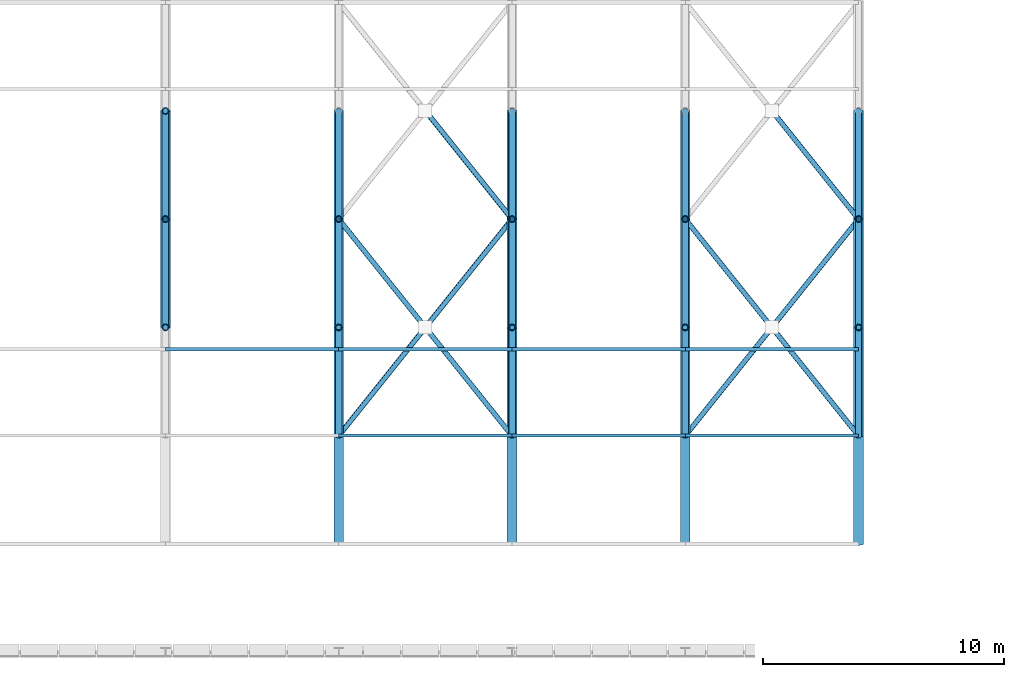
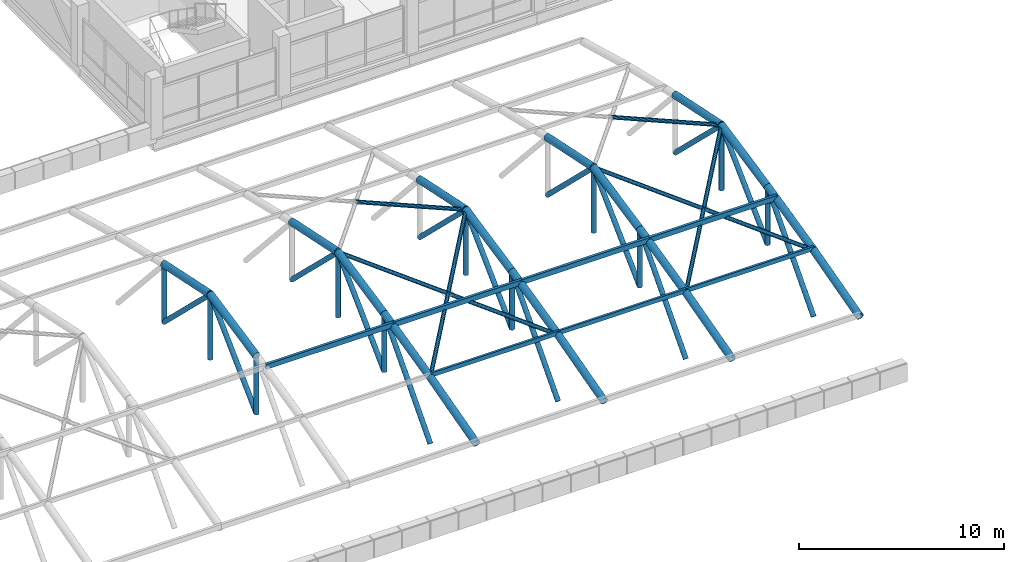
# One storey, part 31 of 96: 58 members.
"""IFC4 building model written with IfcOpenShell, lengths in metres."""

from ifc_helpers import new_model, si_unit, direction, frame, origin, origin_2d, place, context, subcontext, project, spatial, hollow_rectangle, hollow_circle, extrude, material, material_profile, profile_set, type_object, element, save


model = new_model("IFC4")

# Units and contexts
model_context = context("Model", 3, precision=1e-05, world=origin(), true_north=direction((0.0, 1.0)))
body_context = subcontext(model_context, "Body", "Model", "MODEL_VIEW")
ifc_project = project(units=[si_unit("LENGTHUNIT", "METRE"), si_unit("AREAUNIT", "SQUARE_METRE"), si_unit("VOLUMEUNIT", "CUBIC_METRE"), si_unit("PLANEANGLEUNIT", "RADIAN"), si_unit("MASSUNIT", "GRAM", prefix="KILO")], contexts=[model_context])

# Site, building, storey
site_placement = place(None, origin())
site = spatial("IfcSite", under=ifc_project, at=site_placement, CompositionType="ELEMENT")
building_placement = place(site_placement, origin())
building = spatial("IfcBuilding", under=site, at=building_placement, Name="Yarey Park Central Fire Station", CompositionType="ELEMENT")
storey_placement = place(building_placement, frame((0.0, 0.0, 14.39990234375)))
storey = spatial("IfcBuildingStorey", under=building, at=storey_placement, Name="L04", CompositionType="ELEMENT", Elevation=14.39990234375)

# Members
ifc_material = material(Name="Steel ASTM A500 Gr. C", Category="steel")
ifc_material_profile_1 = material_profile(ifc_material, hollow_circle(Radius=0.109619140625, WallThickness=0.010009765625, at=origin_2d()), Name="CHS 219.1x10")
ifc_profile_set_1 = profile_set([ifc_material_profile_1], Name="Steel ASTM A500 Gr. C")
member_type_1 = type_object("IfcMemberType", Name="STR_BRC_CHS219", PredefinedType="BRACE", material=ifc_profile_set_1)
member_1_placement = place(storey_placement, frame((115.199951171875, 66.60009765625, 1.940185546875), z_axis=(0.615531741105, 0.769419894344, 0.170627377286), x_axis=(-0.780870876022, 0.624692464322, 0.0)))
element("IfcMember", 1, at=member_1_placement, inside=storey, type_object=member_type_1, Name="XBR_ARCH_B09_66_1", PredefinedType="BRACE", context=body_context, shape_type="SweptSolid", body=[
    extrude(hollow_circle(Radius=0.109619140625, WallThickness=0.010009765625, at=origin_2d()), origin(), (0.0, 0.0, 1.0), 11.697021484375),
])
member_2_placement = place(storey_placement, frame((122.39990234375, 66.60009765625, 1.940185546875), z_axis=(-0.615520968904, 0.76943251942, 0.170609304843), x_axis=(-0.780881208953, -0.624679547852, 0.0)))
element("IfcMember", 2, at=member_2_placement, inside=storey, type_object=member_type_1, Name="XBR_ARCH_B09_66_2A", PredefinedType="BRACE", context=body_context, shape_type="SweptSolid", body=[
    extrude(hollow_circle(Radius=0.109619140625, WallThickness=0.010009765625, at=origin_2d()), origin(), (0.0, 0.0, 1.0), 5.848388671875),
])
member_3_placement = place(storey_placement, frame((118.800048828125, 71.10009765625, 2.93798828125), z_axis=(-0.615542512582, 0.76940726922, 0.170645449033), x_axis=(-0.780860543151, -0.624705380279, 0.0)))
element("IfcMember", 3, at=member_3_placement, inside=storey, type_object=member_type_1, Name="XBR_ARCH_B09_66_2B", PredefinedType="BRACE", context=body_context, shape_type="SweptSolid", body=[
    extrude(hollow_circle(Radius=0.109619140625, WallThickness=0.010009765625, at=origin_2d()), origin(), (0.0, 0.0, 1.0), 5.8486328125),
])
member_4_placement = place(storey_placement, frame((122.39990234375, 75.60009765625, 3.93603515625), z_axis=(-0.615516584686, 0.769427038924, -0.17064983372), x_axis=(-0.780881208953, -0.624679547852, 0.0)))
element("IfcMember", 4, at=member_4_placement, inside=storey, type_object=member_type_1, Name="XBR_ARCH_B09_75_2A", PredefinedType="BRACE", context=body_context, shape_type="SweptSolid", body=[
    extrude(hollow_circle(Radius=0.109619140625, WallThickness=0.010009765625, at=origin_2d()), origin(), (0.0, 0.0, 1.0), 5.848388671875),
])
member_5_placement = place(storey_placement, frame((129.60009765625, 66.60009765625, 1.940185546875), z_axis=(0.615531741105, 0.769419894344, 0.170627377286), x_axis=(-0.780870876022, 0.624692464322, 0.0)))
element("IfcMember", 5, at=member_5_placement, inside=storey, type_object=member_type_1, Name="XBR_ARCH_B11_66_1", PredefinedType="BRACE", context=body_context, shape_type="SweptSolid", body=[
    extrude(hollow_circle(Radius=0.109619140625, WallThickness=0.010009765625, at=origin_2d()), origin(), (0.0, 0.0, 1.0), 11.697021484375),
])
member_6_placement = place(storey_placement, frame((136.800048828125, 66.60009765625, 1.940185546875), z_axis=(-0.61554689676, 0.769412749293, 0.170604921135), x_axis=(-0.780860543151, -0.624705380279, 0.0)))
element("IfcMember", 6, at=member_6_placement, inside=storey, type_object=member_type_1, Name="XBR_ARCH_B11_66_2A", PredefinedType="BRACE", context=body_context, shape_type="SweptSolid", body=[
    extrude(hollow_circle(Radius=0.109619140625, WallThickness=0.010009765625, at=origin_2d()), origin(), (0.0, 0.0, 1.0), 5.8486328125),
])
member_7_placement = place(storey_placement, frame((133.199951171875, 71.10009765625, 2.93798828125), z_axis=(-0.615516584686, 0.769427038924, 0.17064983372), x_axis=(-0.780881208953, -0.624679547852, 0.0)))
element("IfcMember", 7, at=member_7_placement, inside=storey, type_object=member_type_1, Name="XBR_ARCH_B11_66_2B", PredefinedType="BRACE", context=body_context, shape_type="SweptSolid", body=[
    extrude(hollow_circle(Radius=0.109619140625, WallThickness=0.010009765625, at=origin_2d()), origin(), (0.0, 0.0, 1.0), 5.848388671875),
])
member_8_placement = place(storey_placement, frame((136.800048828125, 75.60009765625, 3.93603515625), z_axis=(-0.615542512582, 0.76940726922, -0.170645449033), x_axis=(-0.780860543151, -0.624705380279, 0.0)))
element("IfcMember", 8, at=member_8_placement, inside=storey, type_object=member_type_1, Name="XBR_ARCH_B11_75_2A", PredefinedType="BRACE", context=body_context, shape_type="SweptSolid", body=[
    extrude(hollow_circle(Radius=0.109619140625, WallThickness=0.010009765625, at=origin_2d()), origin(), (0.0, 0.0, 1.0), 5.8486328125),
])
ifc_material_profile_2 = material_profile(ifc_material, hollow_circle(Radius=0.203125, WallThickness=0.01611328125, at=origin_2d()), Name="CHS 406.4x16")
ifc_profile_set_2 = profile_set([ifc_material_profile_2], Name="Steel ASTM A500 Gr. C")
member_type_2 = type_object("IfcMemberType", Name="STR_CHORD_CHS406", PredefinedType="CHORD", material=ifc_profile_set_2)
for number, where, z_axis, x_axis, name in (
    (9, (108.0, 71.10009765625, 2.99609375), (0.0, 0.978874249501, 0.204463208582), (-1.0, 0.0, 0.0), "Arched Roof Truss ART_08 Top Chord 4"),
    (10, (108.0, 75.60009765625, 3.93603515625), (0.0, 0.978874249501, -0.204463208582), (-1.0, 0.0, 0.0), "Arched Roof Truss ART_08 Top Chord 5"),
):
    element("IfcMember", number, at=place(storey_placement, frame(where, z_axis=z_axis, x_axis=x_axis)), inside=storey, type_object=member_type_2, Name=name, PredefinedType="CHORD", context=body_context, shape_type="SweptSolid", body=[
        extrude(hollow_circle(Radius=0.203125, WallThickness=0.01611328125, at=origin_2d()), origin(), (0.0, 0.0, 1.0), 4.59716796875),
    ])
member_9_placement = place(storey_placement, frame((115.199951171875, 62.10009765625, 0.717529296875), z_axis=(0.0, 0.965014687101, 0.262195830783), x_axis=(-1.0, 0.0, 0.0)))
element("IfcMember", 11, at=member_9_placement, inside=storey, type_object=member_type_2, Name="Arched Roof Truss ART_09 Top Chord 2", PredefinedType="CHORD", context=body_context, shape_type="SweptSolid", body=[
    extrude(hollow_circle(Radius=0.203125, WallThickness=0.01611328125, at=origin_2d()), origin(), (0.0, 0.0, 1.0), 4.6630859375),
])
member_10_placement = place(storey_placement, frame((115.199951171875, 66.60009765625, 1.940185546875), z_axis=(0.0, 0.97355760432, 0.228441657915), x_axis=(-1.0, 0.0, 0.0)))
element("IfcMember", 12, at=member_10_placement, inside=storey, type_object=member_type_2, Name="Arched Roof Truss ART_09 Top Chord 3", PredefinedType="CHORD", context=body_context, shape_type="SweptSolid", body=[
    extrude(hollow_circle(Radius=0.203125, WallThickness=0.01611328125, at=origin_2d()), origin(), (0.0, 0.0, 1.0), 4.622314453125),
])
for number, where, z_axis, x_axis, name in (
    (13, (115.199951171875, 71.10009765625, 2.99609375), (0.0, 0.978874249501, 0.204463208582), (-1.0, 0.0, 0.0), "Arched Roof Truss ART_09 Top Chord 4"),
    (14, (115.199951171875, 75.60009765625, 3.93603515625), (0.0, 0.978874249501, -0.204463208582), (-1.0, 0.0, 0.0), "Arched Roof Truss ART_09 Top Chord 5"),
):
    element("IfcMember", number, at=place(storey_placement, frame(where, z_axis=z_axis, x_axis=x_axis)), inside=storey, type_object=member_type_2, Name=name, PredefinedType="CHORD", context=body_context, shape_type="SweptSolid", body=[
        extrude(hollow_circle(Radius=0.203125, WallThickness=0.01611328125, at=origin_2d()), origin(), (0.0, 0.0, 1.0), 4.59716796875),
    ])
member_11_placement = place(storey_placement, frame((122.39990234375, 62.10009765625, 0.717529296875), z_axis=(0.0, 0.965014687101, 0.262195830783), x_axis=(-1.0, 0.0, 0.0)))
element("IfcMember", 15, at=member_11_placement, inside=storey, type_object=member_type_2, Name="Arched Roof Truss ART_10 Top Chord 2", PredefinedType="CHORD", context=body_context, shape_type="SweptSolid", body=[
    extrude(hollow_circle(Radius=0.203125, WallThickness=0.01611328125, at=origin_2d()), origin(), (0.0, 0.0, 1.0), 4.6630859375),
])
member_12_placement = place(storey_placement, frame((122.39990234375, 66.60009765625, 1.940185546875), z_axis=(0.0, 0.97355760432, 0.228441657915), x_axis=(-1.0, 0.0, 0.0)))
element("IfcMember", 16, at=member_12_placement, inside=storey, type_object=member_type_2, Name="Arched Roof Truss ART_10 Top Chord 3", PredefinedType="CHORD", context=body_context, shape_type="SweptSolid", body=[
    extrude(hollow_circle(Radius=0.203125, WallThickness=0.01611328125, at=origin_2d()), origin(), (0.0, 0.0, 1.0), 4.622314453125),
])
for number, where, z_axis, x_axis, name in (
    (17, (122.39990234375, 71.10009765625, 2.99609375), (0.0, 0.978874249501, 0.204463208582), (-1.0, 0.0, 0.0), "Arched Roof Truss ART_10 Top Chord 4"),
    (18, (122.39990234375, 75.60009765625, 3.93603515625), (0.0, 0.978874249501, -0.204463208582), (-1.0, 0.0, 0.0), "Arched Roof Truss ART_10 Top Chord 5"),
):
    element("IfcMember", number, at=place(storey_placement, frame(where, z_axis=z_axis, x_axis=x_axis)), inside=storey, type_object=member_type_2, Name=name, PredefinedType="CHORD", context=body_context, shape_type="SweptSolid", body=[
        extrude(hollow_circle(Radius=0.203125, WallThickness=0.01611328125, at=origin_2d()), origin(), (0.0, 0.0, 1.0), 4.59716796875),
    ])
member_13_placement = place(storey_placement, frame((129.60009765625, 62.10009765625, 0.717529296875), z_axis=(0.0, 0.965014687101, 0.262195830783), x_axis=(-1.0, 0.0, 0.0)))
element("IfcMember", 19, at=member_13_placement, inside=storey, type_object=member_type_2, Name="Arched Roof Truss ART_11 Top Chord 2", PredefinedType="CHORD", context=body_context, shape_type="SweptSolid", body=[
    extrude(hollow_circle(Radius=0.203125, WallThickness=0.01611328125, at=origin_2d()), origin(), (0.0, 0.0, 1.0), 4.6630859375),
])
member_14_placement = place(storey_placement, frame((129.60009765625, 66.60009765625, 1.940185546875), z_axis=(0.0, 0.97355760432, 0.228441657915), x_axis=(-1.0, 0.0, 0.0)))
element("IfcMember", 20, at=member_14_placement, inside=storey, type_object=member_type_2, Name="Arched Roof Truss ART_11 Top Chord 3", PredefinedType="CHORD", context=body_context, shape_type="SweptSolid", body=[
    extrude(hollow_circle(Radius=0.203125, WallThickness=0.01611328125, at=origin_2d()), origin(), (0.0, 0.0, 1.0), 4.622314453125),
])
for number, where, z_axis, x_axis, name in (
    (21, (129.60009765625, 71.10009765625, 2.99609375), (0.0, 0.978874249501, 0.204463208582), (-1.0, 0.0, 0.0), "Arched Roof Truss ART_11 Top Chord 4"),
    (22, (129.60009765625, 75.60009765625, 3.93603515625), (0.0, 0.978874249501, -0.204463208582), (-1.0, 0.0, 0.0), "Arched Roof Truss ART_11 Top Chord 5"),
):
    element("IfcMember", number, at=place(storey_placement, frame(where, z_axis=z_axis, x_axis=x_axis)), inside=storey, type_object=member_type_2, Name=name, PredefinedType="CHORD", context=body_context, shape_type="SweptSolid", body=[
        extrude(hollow_circle(Radius=0.203125, WallThickness=0.01611328125, at=origin_2d()), origin(), (0.0, 0.0, 1.0), 4.59716796875),
    ])
member_15_placement = place(storey_placement, frame((136.800048828125, 62.10009765625, 0.717529296875), z_axis=(0.0, 0.965014687101, 0.262195830783), x_axis=(-1.0, 0.0, 0.0)))
element("IfcMember", 23, at=member_15_placement, inside=storey, type_object=member_type_2, Name="Arched Roof Truss ART_12 Top Chord 2", PredefinedType="CHORD", context=body_context, shape_type="SweptSolid", body=[
    extrude(hollow_circle(Radius=0.203125, WallThickness=0.01611328125, at=origin_2d()), origin(), (0.0, 0.0, 1.0), 4.6630859375),
])
member_16_placement = place(storey_placement, frame((136.800048828125, 66.60009765625, 1.940185546875), z_axis=(0.0, 0.97355760432, 0.228441657915), x_axis=(-1.0, 0.0, 0.0)))
element("IfcMember", 24, at=member_16_placement, inside=storey, type_object=member_type_2, Name="Arched Roof Truss ART_12 Top Chord 3", PredefinedType="CHORD", context=body_context, shape_type="SweptSolid", body=[
    extrude(hollow_circle(Radius=0.203125, WallThickness=0.01611328125, at=origin_2d()), origin(), (0.0, 0.0, 1.0), 4.622314453125),
])
for number, where, z_axis, x_axis, name in (
    (25, (136.800048828125, 71.10009765625, 2.99609375), (0.0, 0.978874249501, 0.204463208582), (-1.0, 0.0, 0.0), "Arched Roof Truss ART_12 Top Chord 4"),
    (26, (136.800048828125, 75.60009765625, 3.93603515625), (0.0, 0.978874249501, -0.204463208582), (-1.0, 0.0, 0.0), "Arched Roof Truss ART_12 Top Chord 5"),
):
    element("IfcMember", number, at=place(storey_placement, frame(where, z_axis=z_axis, x_axis=x_axis)), inside=storey, type_object=member_type_2, Name=name, PredefinedType="CHORD", context=body_context, shape_type="SweptSolid", body=[
        extrude(hollow_circle(Radius=0.203125, WallThickness=0.01611328125, at=origin_2d()), origin(), (0.0, 0.0, 1.0), 4.59716796875),
    ])
ifc_material_profile_3 = material_profile(ifc_material, hollow_rectangle(XDim=0.125, YDim=0.25, WallThickness=0.008056640625, at=origin_2d()), Name="HSS 250x125x8")
ifc_profile_set_3 = profile_set([ifc_material_profile_3], Name="Steel ASTM A500 Gr. C")
member_type_3 = type_object("IfcMemberType", Name="STR_GIRT_HSS250", PredefinedType="PURLIN", material=ifc_profile_set_3)
member_17_placement = place(storey_placement, frame((115.199951171875, 66.60009765625, 2.0791015625), z_axis=(1.0, 0.0, 0.0), x_axis=(0.0, 1.0, 0.0)))
element("IfcMember", 27, at=member_17_placement, inside=storey, type_object=member_type_3, Name="PUR_ARCH_B09_2", PredefinedType="PURLIN", context=body_context, shape_type="SweptSolid", body=[
    extrude(hollow_rectangle(XDim=0.125, YDim=0.25, WallThickness=0.008056640625, at=origin_2d()), origin(), (0.0, 0.0, 1.0), 7.199951171875),
])
member_18_placement = place(storey_placement, frame((122.39990234375, 66.60009765625, 2.0791015625), z_axis=(1.0, 0.0, 0.0), x_axis=(0.0, 1.0, 0.0)))
element("IfcMember", 28, at=member_18_placement, inside=storey, type_object=member_type_3, Name="PUR_ARCH_B10_2", PredefinedType="PURLIN", context=body_context, shape_type="SweptSolid", body=[
    extrude(hollow_rectangle(XDim=0.125, YDim=0.25, WallThickness=0.008056640625, at=origin_2d()), origin(), (0.0, 0.0, 1.0), 7.2001953125),
])
member_19_placement = place(storey_placement, frame((129.60009765625, 66.60009765625, 2.0791015625), z_axis=(1.0, 0.0, 0.0), x_axis=(0.0, 1.0, 0.0)))
element("IfcMember", 29, at=member_19_placement, inside=storey, type_object=member_type_3, Name="PUR_ARCH_B11_2", PredefinedType="PURLIN", context=body_context, shape_type="SweptSolid", body=[
    extrude(hollow_rectangle(XDim=0.125, YDim=0.25, WallThickness=0.008056640625, at=origin_2d()), origin(), (0.0, 0.0, 1.0), 7.199951171875),
])
ifc_material_profile_4 = material_profile(ifc_material, hollow_rectangle(XDim=0.14990234375, YDim=0.300048828125, WallThickness=0.010009765625, at=origin_2d()), Name="HSS 300x150x10")
ifc_profile_set_4 = profile_set([ifc_material_profile_4], Name="Steel ASTM A500 Gr. C")
member_type_4 = type_object("IfcMemberType", Name="STR_PUR_HSS300", PredefinedType="PURLIN", material=ifc_profile_set_4)
for number, where, z_axis, x_axis, name in (
    (30, (108.0, 70.199951171875, 2.922119140625), (1.0, 0.0, 0.0), (0.0, 1.0, 0.0), "PUR_ARCH_B08_3"),
    (31, (115.199951171875, 70.199951171875, 2.922119140625), (1.0, 0.0, 0.0), (0.0, 1.0, 0.0), "PUR_ARCH_B09_3"),
):
    element("IfcMember", number, at=place(storey_placement, frame(where, z_axis=z_axis, x_axis=x_axis)), inside=storey, type_object=member_type_4, Name=name, PredefinedType="PURLIN", context=body_context, shape_type="SweptSolid", body=[
        extrude(hollow_rectangle(XDim=0.14990234375, YDim=0.300048828125, WallThickness=0.010009765625, at=origin_2d()), origin(), (0.0, 0.0, 1.0), 7.199951171875),
    ])
member_20_placement = place(storey_placement, frame((122.39990234375, 70.199951171875, 2.922119140625), z_axis=(1.0, 0.0, 0.0), x_axis=(0.0, 1.0, 0.0)))
element("IfcMember", 32, at=member_20_placement, inside=storey, type_object=member_type_4, Name="PUR_ARCH_B10_3", PredefinedType="PURLIN", context=body_context, shape_type="SweptSolid", body=[
    extrude(hollow_rectangle(XDim=0.14990234375, YDim=0.300048828125, WallThickness=0.010009765625, at=origin_2d()), origin(), (0.0, 0.0, 1.0), 7.2001953125),
])
member_21_placement = place(storey_placement, frame((129.60009765625, 70.199951171875, 2.922119140625), z_axis=(1.0, 0.0, 0.0), x_axis=(0.0, 1.0, 0.0)))
element("IfcMember", 33, at=member_21_placement, inside=storey, type_object=member_type_4, Name="PUR_ARCH_B11_3", PredefinedType="PURLIN", context=body_context, shape_type="SweptSolid", body=[
    extrude(hollow_rectangle(XDim=0.14990234375, YDim=0.300048828125, WallThickness=0.010009765625, at=origin_2d()), origin(), (0.0, 0.0, 1.0), 7.199951171875),
])
ifc_material_profile_5 = material_profile(ifc_material, hollow_circle(Radius=0.136474609375, WallThickness=0.012451171875, at=origin_2d()), Name="CHS 273x12.5")
ifc_profile_set_5 = profile_set([ifc_material_profile_5], Name="Steel ASTM A500 Gr. C")
member_type_5 = type_object("IfcMemberType", Name="STR_WEB_CHS273", PredefinedType="BRACE", material=ifc_profile_set_5)
for number, where, z_axis, x_axis, name in (
    (34, (108.0, 71.10009765625, -0.43115234375), (0.0, 0.717617317355, 0.696437639586), (-1.0, 0.0, 0.0), "Arched Roof Truss ART_08 Diagonal 4"),
    (35, (108.0, 75.60009765625, 3.93603515625), (0.0, 0.717617317355, -0.696437639586), (-1.0, 0.0, 0.0), "Arched Roof Truss ART_08 Diagonal 5"),
):
    element("IfcMember", number, at=place(storey_placement, frame(where, z_axis=z_axis, x_axis=x_axis)), inside=storey, type_object=member_type_5, Name=name, PredefinedType="BRACE", context=body_context, shape_type="SweptSolid", body=[
        extrude(hollow_circle(Radius=0.136474609375, WallThickness=0.012451171875, at=origin_2d()), origin(), (0.0, 0.0, 1.0), 6.270751953125),
    ])
member_22_placement = place(storey_placement, frame((108.0, 71.10009765625, -0.43115234375), z_axis=(0.0, 0.0, 1.0), x_axis=(1.0, 0.0, 0.0)))
element("IfcMember", 36, at=member_22_placement, inside=storey, type_object=member_type_5, Name="Arched Roof Truss ART_08 Vertical 4", PredefinedType="BRACE", context=body_context, shape_type="SweptSolid", body=[
    extrude(hollow_circle(Radius=0.136474609375, WallThickness=0.012451171875, at=origin_2d()), origin(), (0.0, 0.0, 1.0), 3.42724609375),
])
member_23_placement = place(storey_placement, frame((108.0, 75.60009765625, 0.10009765625), z_axis=(0.0, 0.0, 1.0), x_axis=(1.0, 0.0, 0.0)))
element("IfcMember", 37, at=member_23_placement, inside=storey, type_object=member_type_5, Name="Arched Roof Truss ART_08 Vertical 5", PredefinedType="BRACE", context=body_context, shape_type="SweptSolid", body=[
    extrude(hollow_circle(Radius=0.136474609375, WallThickness=0.012451171875, at=origin_2d()), origin(), (0.0, 0.0, 1.0), 3.8359375),
])
member_24_placement = place(storey_placement, frame((108.0, 80.10009765625, -0.43115234375), z_axis=(0.0, 0.0, 1.0), x_axis=(1.0, 0.0, 0.0)))
element("IfcMember", 38, at=member_24_placement, inside=storey, type_object=member_type_5, Name="Arched Roof Truss ART_08 Vertical 6", PredefinedType="BRACE", context=body_context, shape_type="SweptSolid", body=[
    extrude(hollow_circle(Radius=0.136474609375, WallThickness=0.012451171875, at=origin_2d()), origin(), (0.0, 0.0, 1.0), 3.42724609375),
])
member_25_placement = place(storey_placement, frame((115.199951171875, 66.60009765625, -2.02490234375), z_axis=(0.0, 0.667414870686, 0.744686101916), x_axis=(-1.0, 0.0, 0.0)))
element("IfcMember", 39, at=member_25_placement, inside=storey, type_object=member_type_5, Name="Arched Roof Truss ART_09 Diagonal 3", PredefinedType="BRACE", context=body_context, shape_type="SweptSolid", body=[
    extrude(hollow_circle(Radius=0.136474609375, WallThickness=0.012451171875, at=origin_2d()), origin(), (0.0, 0.0, 1.0), 6.742431640625),
])
for number, where, z_axis, x_axis, name in (
    (40, (115.199951171875, 71.10009765625, -0.43115234375), (0.0, 0.717617317355, 0.696437639586), (-1.0, 0.0, 0.0), "Arched Roof Truss ART_09 Diagonal 4"),
    (41, (115.199951171875, 75.60009765625, 3.93603515625), (0.0, 0.717617317355, -0.696437639586), (-1.0, 0.0, 0.0), "Arched Roof Truss ART_09 Diagonal 5"),
):
    element("IfcMember", number, at=place(storey_placement, frame(where, z_axis=z_axis, x_axis=x_axis)), inside=storey, type_object=member_type_5, Name=name, PredefinedType="BRACE", context=body_context, shape_type="SweptSolid", body=[
        extrude(hollow_circle(Radius=0.136474609375, WallThickness=0.012451171875, at=origin_2d()), origin(), (0.0, 0.0, 1.0), 6.270751953125),
    ])
member_26_placement = place(storey_placement, frame((115.199951171875, 71.10009765625, -0.43115234375), z_axis=(0.0, 0.0, 1.0), x_axis=(1.0, 0.0, 0.0)))
element("IfcMember", 42, at=member_26_placement, inside=storey, type_object=member_type_5, Name="Arched Roof Truss ART_09 Vertical 4", PredefinedType="BRACE", context=body_context, shape_type="SweptSolid", body=[
    extrude(hollow_circle(Radius=0.136474609375, WallThickness=0.012451171875, at=origin_2d()), origin(), (0.0, 0.0, 1.0), 3.42724609375),
])
member_27_placement = place(storey_placement, frame((115.199951171875, 75.60009765625, 0.10009765625), z_axis=(0.0, 0.0, 1.0), x_axis=(1.0, 0.0, 0.0)))
element("IfcMember", 43, at=member_27_placement, inside=storey, type_object=member_type_5, Name="Arched Roof Truss ART_09 Vertical 5", PredefinedType="BRACE", context=body_context, shape_type="SweptSolid", body=[
    extrude(hollow_circle(Radius=0.136474609375, WallThickness=0.012451171875, at=origin_2d()), origin(), (0.0, 0.0, 1.0), 3.8359375),
])
member_28_placement = place(storey_placement, frame((122.39990234375, 66.60009765625, -2.02490234375), z_axis=(0.0, 0.667414870686, 0.744686101916), x_axis=(-1.0, 0.0, 0.0)))
element("IfcMember", 44, at=member_28_placement, inside=storey, type_object=member_type_5, Name="Arched Roof Truss ART_10 Diagonal 3", PredefinedType="BRACE", context=body_context, shape_type="SweptSolid", body=[
    extrude(hollow_circle(Radius=0.136474609375, WallThickness=0.012451171875, at=origin_2d()), origin(), (0.0, 0.0, 1.0), 6.742431640625),
])
for number, where, z_axis, x_axis, name in (
    (45, (122.39990234375, 71.10009765625, -0.43115234375), (0.0, 0.717617317355, 0.696437639586), (-1.0, 0.0, 0.0), "Arched Roof Truss ART_10 Diagonal 4"),
    (46, (122.39990234375, 75.60009765625, 3.93603515625), (0.0, 0.717617317355, -0.696437639586), (-1.0, 0.0, 0.0), "Arched Roof Truss ART_10 Diagonal 5"),
):
    element("IfcMember", number, at=place(storey_placement, frame(where, z_axis=z_axis, x_axis=x_axis)), inside=storey, type_object=member_type_5, Name=name, PredefinedType="BRACE", context=body_context, shape_type="SweptSolid", body=[
        extrude(hollow_circle(Radius=0.136474609375, WallThickness=0.012451171875, at=origin_2d()), origin(), (0.0, 0.0, 1.0), 6.270751953125),
    ])
member_29_placement = place(storey_placement, frame((122.39990234375, 71.10009765625, -0.43115234375), z_axis=(0.0, 0.0, 1.0), x_axis=(1.0, 0.0, 0.0)))
element("IfcMember", 47, at=member_29_placement, inside=storey, type_object=member_type_5, Name="Arched Roof Truss ART_10 Vertical 4", PredefinedType="BRACE", context=body_context, shape_type="SweptSolid", body=[
    extrude(hollow_circle(Radius=0.136474609375, WallThickness=0.012451171875, at=origin_2d()), origin(), (0.0, 0.0, 1.0), 3.42724609375),
])
member_30_placement = place(storey_placement, frame((122.39990234375, 75.60009765625, 0.10009765625), z_axis=(0.0, 0.0, 1.0), x_axis=(1.0, 0.0, 0.0)))
element("IfcMember", 48, at=member_30_placement, inside=storey, type_object=member_type_5, Name="Arched Roof Truss ART_10 Vertical 5", PredefinedType="BRACE", context=body_context, shape_type="SweptSolid", body=[
    extrude(hollow_circle(Radius=0.136474609375, WallThickness=0.012451171875, at=origin_2d()), origin(), (0.0, 0.0, 1.0), 3.8359375),
])
member_31_placement = place(storey_placement, frame((129.60009765625, 66.60009765625, -2.02490234375), z_axis=(0.0, 0.667414870686, 0.744686101916), x_axis=(-1.0, 0.0, 0.0)))
element("IfcMember", 49, at=member_31_placement, inside=storey, type_object=member_type_5, Name="Arched Roof Truss ART_11 Diagonal 3", PredefinedType="BRACE", context=body_context, shape_type="SweptSolid", body=[
    extrude(hollow_circle(Radius=0.136474609375, WallThickness=0.012451171875, at=origin_2d()), origin(), (0.0, 0.0, 1.0), 6.742431640625),
])
for number, where, z_axis, x_axis, name in (
    (50, (129.60009765625, 71.10009765625, -0.43115234375), (0.0, 0.717617317355, 0.696437639586), (-1.0, 0.0, 0.0), "Arched Roof Truss ART_11 Diagonal 4"),
    (51, (129.60009765625, 75.60009765625, 3.93603515625), (0.0, 0.717617317355, -0.696437639586), (-1.0, 0.0, 0.0), "Arched Roof Truss ART_11 Diagonal 5"),
):
    element("IfcMember", number, at=place(storey_placement, frame(where, z_axis=z_axis, x_axis=x_axis)), inside=storey, type_object=member_type_5, Name=name, PredefinedType="BRACE", context=body_context, shape_type="SweptSolid", body=[
        extrude(hollow_circle(Radius=0.136474609375, WallThickness=0.012451171875, at=origin_2d()), origin(), (0.0, 0.0, 1.0), 6.270751953125),
    ])
member_32_placement = place(storey_placement, frame((129.60009765625, 71.10009765625, -0.43115234375), z_axis=(0.0, 0.0, 1.0), x_axis=(1.0, 0.0, 0.0)))
element("IfcMember", 52, at=member_32_placement, inside=storey, type_object=member_type_5, Name="Arched Roof Truss ART_11 Vertical 4", PredefinedType="BRACE", context=body_context, shape_type="SweptSolid", body=[
    extrude(hollow_circle(Radius=0.136474609375, WallThickness=0.012451171875, at=origin_2d()), origin(), (0.0, 0.0, 1.0), 3.42724609375),
])
member_33_placement = place(storey_placement, frame((129.60009765625, 75.60009765625, 0.10009765625), z_axis=(0.0, 0.0, 1.0), x_axis=(1.0, 0.0, 0.0)))
element("IfcMember", 53, at=member_33_placement, inside=storey, type_object=member_type_5, Name="Arched Roof Truss ART_11 Vertical 5", PredefinedType="BRACE", context=body_context, shape_type="SweptSolid", body=[
    extrude(hollow_circle(Radius=0.136474609375, WallThickness=0.012451171875, at=origin_2d()), origin(), (0.0, 0.0, 1.0), 3.8359375),
])
member_34_placement = place(storey_placement, frame((136.800048828125, 66.60009765625, -2.02490234375), z_axis=(0.0, 0.667414870686, 0.744686101916), x_axis=(-1.0, 0.0, 0.0)))
element("IfcMember", 54, at=member_34_placement, inside=storey, type_object=member_type_5, Name="Arched Roof Truss ART_12 Diagonal 3", PredefinedType="BRACE", context=body_context, shape_type="SweptSolid", body=[
    extrude(hollow_circle(Radius=0.136474609375, WallThickness=0.012451171875, at=origin_2d()), origin(), (0.0, 0.0, 1.0), 6.742431640625),
])
for number, where, z_axis, x_axis, name in (
    (55, (136.800048828125, 71.10009765625, -0.43115234375), (0.0, 0.717617317355, 0.696437639586), (-1.0, 0.0, 0.0), "Arched Roof Truss ART_12 Diagonal 4"),
    (56, (136.800048828125, 75.60009765625, 3.93603515625), (0.0, 0.717617317355, -0.696437639586), (-1.0, 0.0, 0.0), "Arched Roof Truss ART_12 Diagonal 5"),
):
    element("IfcMember", number, at=place(storey_placement, frame(where, z_axis=z_axis, x_axis=x_axis)), inside=storey, type_object=member_type_5, Name=name, PredefinedType="BRACE", context=body_context, shape_type="SweptSolid", body=[
        extrude(hollow_circle(Radius=0.136474609375, WallThickness=0.012451171875, at=origin_2d()), origin(), (0.0, 0.0, 1.0), 6.270751953125),
    ])
member_35_placement = place(storey_placement, frame((136.800048828125, 71.10009765625, -0.43115234375), z_axis=(0.0, 0.0, 1.0), x_axis=(1.0, 0.0, 0.0)))
element("IfcMember", 57, at=member_35_placement, inside=storey, type_object=member_type_5, Name="Arched Roof Truss ART_12 Vertical 4", PredefinedType="BRACE", context=body_context, shape_type="SweptSolid", body=[
    extrude(hollow_circle(Radius=0.136474609375, WallThickness=0.012451171875, at=origin_2d()), origin(), (0.0, 0.0, 1.0), 3.42724609375),
])
member_36_placement = place(storey_placement, frame((136.800048828125, 75.60009765625, 0.10009765625), z_axis=(0.0, 0.0, 1.0), x_axis=(1.0, 0.0, 0.0)))
element("IfcMember", 58, at=member_36_placement, inside=storey, type_object=member_type_5, Name="Arched Roof Truss ART_12 Vertical 5", PredefinedType="BRACE", context=body_context, shape_type="SweptSolid", body=[
    extrude(hollow_circle(Radius=0.136474609375, WallThickness=0.012451171875, at=origin_2d()), origin(), (0.0, 0.0, 1.0), 3.8359375),
])

save(model, "model.ifc")
